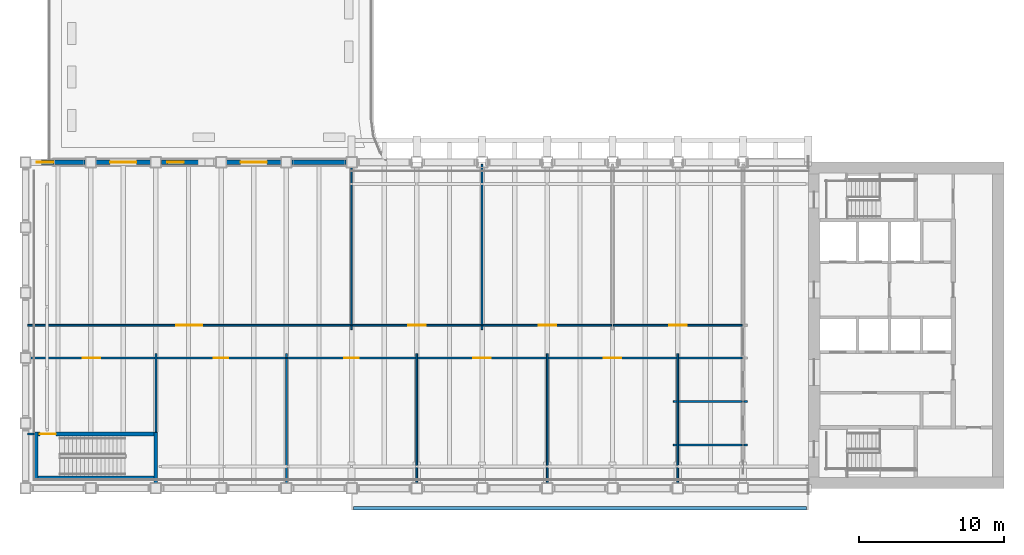
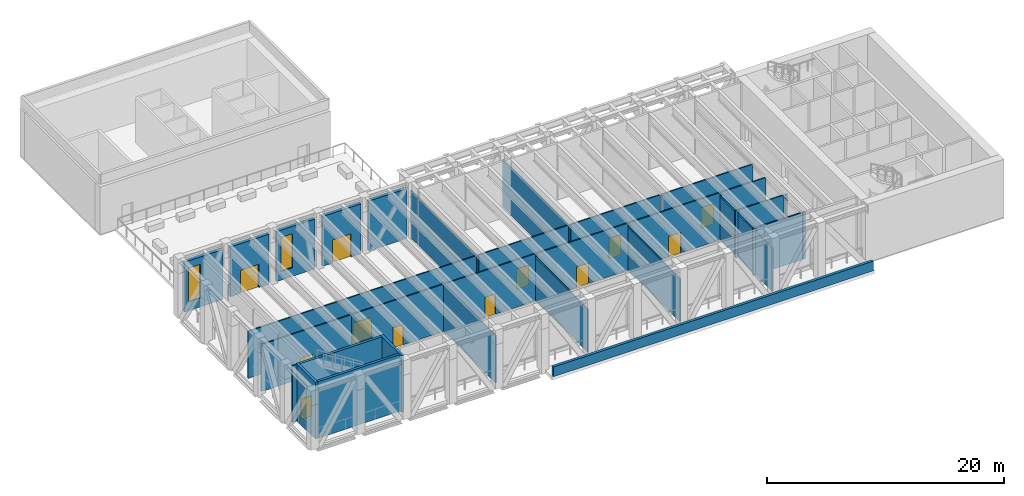
# One storey, part 9 of 20: 34 walls, 12 doors, 2 windows, 14 openings.
"""IFC4 building model written with IfcOpenShell, lengths in metres."""

from ifc_helpers import new_model, si_unit, direction, frame, frame_2d, origin, place, context, subcontext, project, spatial, rectangle, extrude, material, layer, layer_set, type_object, element, fill, save


model = new_model("IFC4")

# Units and contexts
model_context = context("Model", 3, precision=1e-05, world=origin(), true_north=direction((0.0, 1.0)))
body_context = subcontext(model_context, "Body", "Model", "MODEL_VIEW")
ifc_project = project(units=[si_unit("LENGTHUNIT", "METRE"), si_unit("AREAUNIT", "SQUARE_METRE"), si_unit("VOLUMEUNIT", "CUBIC_METRE"), si_unit("PLANEANGLEUNIT", "RADIAN"), si_unit("MASSUNIT", "GRAM", prefix="KILO")], contexts=[model_context])

# Site, building, storey
site_placement = place(None, origin())
site = spatial("IfcSite", under=ifc_project, at=site_placement, CompositionType="ELEMENT")
building_placement = place(site_placement, origin())
building = spatial("IfcBuilding", under=site, at=building_placement, Name="Sennacour Bend Tower", CompositionType="ELEMENT")
storey_placement = place(building_placement, frame((0.0, 0.0, 243.0)))
storey = spatial("IfcBuildingStorey", under=building, at=storey_placement, Name="L56", CompositionType="ELEMENT", Elevation=243.0)

# Walls
ifc_material_1 = material(Name="Plasterboard partition on steel studs", Category="steel")
ifc_layer_1 = layer(ifc_material_1, 0.1201171875, Name="Plasterboard partition on steel studs", Category="steel")
ifc_layer_set_1 = layer_set([ifc_layer_1], Name="Plasterboard partition on steel studs")
wall_type_1 = type_object("IfcWallType", Name="Partition 120", PredefinedType="PARTITIONING", material=ifc_layer_set_1)
wall_1_placement = place(storey_placement, frame((9.0, 3.875, 0.0), z_axis=(0.0, 0.0, 1.0), x_axis=(0.0, 1.0, 0.0)))
element("IfcWall", 1, at=wall_1_placement, inside=storey, type_object=wall_type_1, Name="P-L56-W006a", PredefinedType="PARTITIONING", context=body_context, shape_type="SweptSolid", body=[
    extrude(rectangle(XDim=5.425048828125, YDim=0.1201171875, at=frame_2d((2.71240234375, 0.0))), origin(), (0.0, 0.0, 1.0), 4.8701171875),
])
wall_2_placement = place(storey_placement, frame((18.0, 0.14990234375, 0.0), z_axis=(0.0, 0.0, 1.0), x_axis=(0.0, 1.0, 0.0)))
element("IfcWall", 2, at=wall_2_placement, inside=storey, type_object=wall_type_1, Name="P-L56-W010a", PredefinedType="PARTITIONING", context=body_context, shape_type="SweptSolid", body=[
    extrude(rectangle(XDim=9.150146484375, YDim=0.1201171875, at=frame_2d((4.5751953125, 0.0))), origin(), (0.0, 0.0, 1.0), 4.8701171875),
])
wall_3_placement = place(storey_placement, frame((22.5, 10.949951171875, 0.0), z_axis=(0.0, 0.0, 1.0), x_axis=(0.0, 1.0, 0.0)))
element("IfcWall", 3, at=wall_3_placement, inside=storey, type_object=wall_type_1, Name="P-L56-W013a", PredefinedType="PARTITIONING", context=body_context, shape_type="SweptSolid", body=[
    extrude(rectangle(XDim=11.400146484375, YDim=0.1201171875, at=frame_2d((5.7001953125, 0.0))), origin(), (0.0, 0.0, 1.0), 4.8701171875),
])
wall_4_placement = place(storey_placement, frame((27.0, 0.14990234375, 0.0), z_axis=(0.0, 0.0, 1.0), x_axis=(0.0, 1.0, 0.0)))
element("IfcWall", 4, at=wall_4_placement, inside=storey, type_object=wall_type_1, Name="P-L56-W014a", PredefinedType="PARTITIONING", context=body_context, shape_type="SweptSolid", body=[
    extrude(rectangle(XDim=9.150146484375, YDim=0.1201171875, at=frame_2d((4.5751953125, 0.0))), origin(), (0.0, 0.0, 1.0), 4.449951171875),
])
wall_5_placement = place(storey_placement, frame((31.5, 10.949951171875, 0.0), z_axis=(0.0, 0.0, 1.0), x_axis=(0.0, 1.0, 0.0)))
element("IfcWall", 5, at=wall_5_placement, inside=storey, type_object=wall_type_1, Name="P-L56-W015a", PredefinedType="PARTITIONING", context=body_context, shape_type="SweptSolid", body=[
    extrude(rectangle(XDim=11.400146484375, YDim=0.1201171875, at=frame_2d((5.7001953125, 0.0))), origin(), (0.0, 0.0, 1.0), 4.8701171875),
])
for number, where, z_axis, x_axis, name in (
    (6, (36.0, 0.14990234375, 0.0), (0.0, 0.0, 1.0), (0.0, 1.0, 0.0), "P-L56-W016a"),
    (7, (45.0, 0.14990234375, 0.0), (0.0, 0.0, 1.0), (0.0, 1.0, 0.0), "P-L56-W018a"),
):
    element("IfcWall", number, at=place(storey_placement, frame(where, z_axis=z_axis, x_axis=x_axis)), inside=storey, type_object=wall_type_1, Name=name, PredefinedType="PARTITIONING", context=body_context, shape_type="SweptSolid", body=[
        extrude(rectangle(XDim=9.150146484375, YDim=0.1201171875, at=frame_2d((4.5751953125, 0.0))), origin(), (0.0, 0.0, 1.0), 4.449951171875),
    ])
wall_6_placement = place(storey_placement, frame((44.699951171875, 3.0, 0.0), z_axis=(0.0, 0.0, 1.0), x_axis=(1.0, 0.0, 0.0)))
element("IfcWall", 8, at=wall_6_placement, inside=storey, type_object=wall_type_1, Name="P-L56-W034aa", PredefinedType="PARTITIONING", context=body_context, shape_type="SweptSolid", body=[
    extrude(rectangle(XDim=0.239990234375, YDim=0.1201171875, at=frame_2d((0.1201171875, 0.0))), origin(), (0.0, 0.0, 1.0), 4.8701171875),
])
wall_7_placement = place(storey_placement, frame((45.06005859375, 3.0, 0.0), z_axis=(0.0, 0.0, 1.0), x_axis=(1.0, 0.0, 0.0)))
element("IfcWall", 9, at=wall_7_placement, inside=storey, type_object=wall_type_1, Name="P-L56-W034ab", PredefinedType="PARTITIONING", context=body_context, shape_type="SweptSolid", body=[
    extrude(rectangle(XDim=4.3798828125, YDim=0.1201171875, at=frame_2d((2.18994140625, 0.0))), origin(), (0.0, 0.0, 1.0), 4.8701171875),
])
wall_8_placement = place(storey_placement, frame((49.56005859375, 3.0, 0.0), z_axis=(0.0, 0.0, 1.0), x_axis=(1.0, 0.0, 0.0)))
element("IfcWall", 10, at=wall_8_placement, inside=storey, type_object=wall_type_1, Name="P-L56-W034ac", PredefinedType="PARTITIONING", context=body_context, shape_type="SweptSolid", body=[
    extrude(rectangle(XDim=0.239990234375, YDim=0.1201171875, at=frame_2d((0.1201171875, 0.0))), origin(), (0.0, 0.0, 1.0), 4.8701171875),
])
wall_9_placement = place(storey_placement, frame((0.14990234375, 3.75, 0.0), z_axis=(0.0, 0.0, 1.0), x_axis=(1.0, 0.0, 0.0)))
element("IfcWall", 11, at=wall_9_placement, inside=storey, type_object=wall_type_1, Name="P-L56-W035a", PredefinedType="PARTITIONING", context=body_context, shape_type="SweptSolid", body=[
    extrude(rectangle(XDim=0.4501953125, YDim=0.1201171875, at=frame_2d((0.22509765625, 0.0))), origin(), (0.0, 0.0, 1.0), 5.85009765625),
])
wall_10_placement = place(storey_placement, frame((44.699951171875, 6.0, 0.0), z_axis=(0.0, 0.0, 1.0), x_axis=(1.0, 0.0, 0.0)))
element("IfcWall", 12, at=wall_10_placement, inside=storey, type_object=wall_type_1, Name="P-L56-W039aa", PredefinedType="PARTITIONING", context=body_context, shape_type="SweptSolid", body=[
    extrude(rectangle(XDim=0.239990234375, YDim=0.1201171875, at=frame_2d((0.1201171875, 0.0))), origin(), (0.0, 0.0, 1.0), 4.8701171875),
])
wall_11_placement = place(storey_placement, frame((45.06005859375, 6.0, 0.0), z_axis=(0.0, 0.0, 1.0), x_axis=(1.0, 0.0, 0.0)))
element("IfcWall", 13, at=wall_11_placement, inside=storey, type_object=wall_type_1, Name="P-L56-W039ab", PredefinedType="PARTITIONING", context=body_context, shape_type="SweptSolid", body=[
    extrude(rectangle(XDim=4.3798828125, YDim=0.1201171875, at=frame_2d((2.18994140625, 0.0))), origin(), (0.0, 0.0, 1.0), 4.8701171875),
])
wall_12_placement = place(storey_placement, frame((49.56005859375, 6.0, 0.0), z_axis=(0.0, 0.0, 1.0), x_axis=(1.0, 0.0, 0.0)))
element("IfcWall", 14, at=wall_12_placement, inside=storey, type_object=wall_type_1, Name="P-L56-W039ac", PredefinedType="PARTITIONING", context=body_context, shape_type="SweptSolid", body=[
    extrude(rectangle(XDim=0.239990234375, YDim=0.1201171875, at=frame_2d((0.1201171875, 0.0))), origin(), (0.0, 0.0, 1.0), 4.8701171875),
])
wall_13_placement = place(storey_placement, frame((45.06005859375, 9.0, 0.0), z_axis=(0.0, 0.0, 1.0), x_axis=(1.0, 0.0, 0.0)))
element("IfcWall", 15, at=wall_13_placement, inside=storey, type_object=wall_type_1, Name="P-L56-W041af", PredefinedType="PARTITIONING", context=body_context, shape_type="SweptSolid", body=[
    extrude(rectangle(XDim=4.3798828125, YDim=0.1201171875, at=frame_2d((2.18994140625, 0.0))), origin(), (0.0, 0.0, 1.0), 4.8701171875),
])

# Wall, opening, door
wall_14_placement = place(storey_placement, frame((0.14990234375, 11.25, 0.0), z_axis=(0.0, 0.0, 1.0), x_axis=(1.0, 0.0, 0.0)))
wall_14 = element("IfcWall", 16, at=wall_14_placement, inside=storey, type_object=wall_type_1, Name="P-L56-W043aa", PredefinedType="PARTITIONING", context=body_context, shape_type="SweptSolid", body=[
    extrude(rectangle(XDim=22.2900390625, YDim=0.1201171875, at=frame_2d((11.14501953125, 0.0))), origin(), (0.0, 0.0, 1.0), 4.8701171875),
])
opening_1_placement = place(wall_14_placement, frame((10.255126953125, 0.0, 0.0)))
opening_1 = element("IfcOpeningElement", 17, at=opening_1_placement, cuts=wall_14, Name="Opening OD3", PredefinedType="OPENING", context=body_context, shape_type="SweptSolid", body=[
    extrude(rectangle(XDim=1.800048828125, YDim=2.10009765625, at=frame_2d((0.89990234375, 1.050048828125))), frame((0.0, 0.070068359375, 0.0), z_axis=(0.0, -1.0, 0.0), x_axis=(1.0, 0.0, 0.0)), (0.0, 0.0, 1.0), 0.14013671875),
])
ifc_material_2 = material(Name="Timber", Category="wood")
door_type_1 = type_object("IfcDoorType", Name="DR-OFFICE-1800", OperationType="NOTDEFINED", PredefinedType="DOOR", material=ifc_material_2)
door_1_placement = place(opening_1_placement, origin())
door_1 = element("IfcDoor", 18, at=door_1_placement, inside=storey, type_object=door_type_1, Name="Door", OperationType="DOUBLE_DOOR_SINGLE_SWING", OverallHeight=2.10009765625, OverallWidth=1.800048828125, PredefinedType="DOOR", context=body_context, shape_type="SweptSolid", body=[
    extrude(rectangle(XDim=1.800048828125, YDim=2.10009765625, at=frame_2d((0.89990234375, 1.050048828125))), frame((0.0, 0.02490234375, 0.0), z_axis=(0.0, -1.0, 0.0), x_axis=(1.0, 0.0, 0.0)), (0.0, 0.0, 1.0), 0.050048828125),
])
fill(opening_1, door_1)

ifc_layer_2 = layer(ifc_material_1, 0.1201171875, Name="Plasterboard partition on steel studs", Category="steel")
ifc_layer_set_2 = layer_set([ifc_layer_2], Name="Plasterboard partition on steel studs")
wall_type_2 = type_object("IfcWallType", Name="Partition 120 EI 30", PredefinedType="PARTITIONING", material=ifc_layer_set_2)
wall_15_placement = place(storey_placement, frame((0.14990234375, 9.0, 0.0), z_axis=(0.0, 0.0, 1.0), x_axis=(1.0, 0.0, 0.0)))
wall_15 = element("IfcWall", 19, at=wall_15_placement, inside=storey, type_object=wall_type_2, Name="P-L56-W041aa", PredefinedType="PARTITIONING", context=body_context, shape_type="SweptSolid", body=[
    extrude(rectangle(XDim=8.7900390625, YDim=0.1201171875, at=frame_2d((4.39501953125, 0.0))), origin(), (0.0, 0.0, 1.0), 4.8701171875),
])
opening_2_placement = place(wall_15_placement, frame((3.80517578125, 0.0, 0.0)))
opening_2 = element("IfcOpeningElement", 20, at=opening_2_placement, cuts=wall_15, Name="Opening KD2", PredefinedType="OPENING", context=body_context, shape_type="SweptSolid", body=[
    extrude(rectangle(XDim=1.199951171875, YDim=2.10009765625, at=frame_2d((0.60009765625, 1.050048828125))), frame((0.0, 0.070068359375, 0.0), z_axis=(0.0, -1.0, 0.0), x_axis=(1.0, 0.0, 0.0)), (0.0, 0.0, 1.0), 0.14013671875),
])
ifc_material_3 = material(Name="Painted steel", Category="steel")
door_type_2 = type_object("IfcDoorType", Name="DR-CORRIDOR-1200", OperationType="NOTDEFINED", PredefinedType="DOOR", material=ifc_material_3)
door_2_placement = place(opening_2_placement, origin())
door_2 = element("IfcDoor", 21, at=door_2_placement, inside=storey, type_object=door_type_2, Name="Door", OperationType="SINGLE_SWING_RIGHT", OverallHeight=2.10009765625, OverallWidth=1.199951171875, PredefinedType="DOOR", context=body_context, shape_type="SweptSolid", body=[
    extrude(rectangle(XDim=1.199951171875, YDim=2.10009765625, at=frame_2d((0.60009765625, 1.050048828125))), frame((0.0, 0.02490234375, 0.0), z_axis=(0.0, -1.0, 0.0), x_axis=(1.0, 0.0, 0.0)), (0.0, 0.0, 1.0), 0.050048828125),
])
fill(opening_2, door_2)

ifc_layer_3 = layer(ifc_material_1, 0.1201171875, Name="Plasterboard partition on steel studs", Category="steel")
ifc_layer_set_3 = layer_set([ifc_layer_3], Name="Plasterboard partition on steel studs")
wall_type_3 = type_object("IfcWallType", Name="Partition 120 EI 60", PredefinedType="PARTITIONING", material=ifc_layer_set_3)
wall_16_placement = place(storey_placement, frame((9.06005859375, 9.0, 0.0), z_axis=(0.0, 0.0, 1.0), x_axis=(1.0, 0.0, 0.0)))
wall_16 = element("IfcWall", 22, at=wall_16_placement, inside=storey, type_object=wall_type_3, Name="P-L56-W041ab", PredefinedType="PARTITIONING", context=body_context, shape_type="SweptSolid", body=[
    extrude(rectangle(XDim=8.8798828125, YDim=0.1201171875, at=frame_2d((4.43994140625, 0.0))), origin(), (0.0, 0.0, 1.0), 4.8701171875),
])
opening_3_placement = place(wall_16_placement, frame((3.93994140625, 0.0, 0.0)))
opening_3 = element("IfcOpeningElement", 23, at=opening_3_placement, cuts=wall_16, Name="Opening PD2", PredefinedType="OPENING", context=body_context, shape_type="SweptSolid", body=[
    extrude(rectangle(XDim=1.0, YDim=2.10009765625, at=frame_2d((0.5, 1.050048828125))), frame((0.0, 0.070068359375, 0.0), z_axis=(0.0, -1.0, 0.0), x_axis=(1.0, 0.0, 0.0)), (0.0, 0.0, 1.0), 0.14013671875),
])
door_type_3 = type_object("IfcDoorType", Name="DR-PLANT-1000", OperationType="NOTDEFINED", PredefinedType="DOOR", material=ifc_material_3)
door_3_placement = place(opening_3_placement, origin())
door_3 = element("IfcDoor", 24, at=door_3_placement, inside=storey, type_object=door_type_3, Name="Door", OperationType="SINGLE_SWING_LEFT", OverallHeight=2.10009765625, OverallWidth=1.0, PredefinedType="DOOR", context=body_context, shape_type="SweptSolid", body=[
    extrude(rectangle(XDim=1.0, YDim=2.10009765625, at=frame_2d((0.5, 1.050048828125))), frame((0.0, 0.02490234375, 0.0), z_axis=(0.0, -1.0, 0.0), x_axis=(1.0, 0.0, 0.0)), (0.0, 0.0, 1.0), 0.050048828125),
])
fill(opening_3, door_3)

wall_17_placement = place(storey_placement, frame((18.06005859375, 9.0, 0.0), z_axis=(0.0, 0.0, 1.0), x_axis=(1.0, 0.0, 0.0)))
wall_17 = element("IfcWall", 25, at=wall_17_placement, inside=storey, type_object=wall_type_3, Name="P-L56-W041ac", PredefinedType="PARTITIONING", context=body_context, shape_type="SweptSolid", body=[
    extrude(rectangle(XDim=8.8798828125, YDim=0.1201171875, at=frame_2d((4.43994140625, 0.0))), origin(), (0.0, 0.0, 1.0), 4.8701171875),
])
opening_4_placement = place(wall_17_placement, frame((3.93994140625, 0.0, 0.0)))
opening_4 = element("IfcOpeningElement", 26, at=opening_4_placement, cuts=wall_17, Name="Opening PD2", PredefinedType="OPENING", context=body_context, shape_type="SweptSolid", body=[
    extrude(rectangle(XDim=1.0, YDim=2.10009765625, at=frame_2d((0.5, 1.050048828125))), frame((0.0, 0.070068359375, 0.0), z_axis=(0.0, -1.0, 0.0), x_axis=(1.0, 0.0, 0.0)), (0.0, 0.0, 1.0), 0.14013671875),
])
door_4_placement = place(opening_4_placement, origin())
door_4 = element("IfcDoor", 27, at=door_4_placement, inside=storey, type_object=door_type_3, Name="Door", OperationType="SINGLE_SWING_LEFT", OverallHeight=2.10009765625, OverallWidth=1.0, PredefinedType="DOOR", context=body_context, shape_type="SweptSolid", body=[
    extrude(rectangle(XDim=1.0, YDim=2.10009765625, at=frame_2d((0.5, 1.050048828125))), frame((0.0, 0.02490234375, 0.0), z_axis=(0.0, -1.0, 0.0), x_axis=(1.0, 0.0, 0.0)), (0.0, 0.0, 1.0), 0.050048828125),
])
fill(opening_4, door_4)

wall_18_placement = place(storey_placement, frame((27.06005859375, 9.0, 0.0), z_axis=(0.0, 0.0, 1.0), x_axis=(1.0, 0.0, 0.0)))
wall_18 = element("IfcWall", 28, at=wall_18_placement, inside=storey, type_object=wall_type_3, Name="P-L56-W041ad", PredefinedType="PARTITIONING", context=body_context, shape_type="SweptSolid", body=[
    extrude(rectangle(XDim=8.8798828125, YDim=0.1201171875, at=frame_2d((4.43994140625, 0.0))), origin(), (0.0, 0.0, 1.0), 4.8701171875),
])
opening_5_placement = place(wall_18_placement, frame((3.83984375, 0.0, 0.0)))
opening_5 = element("IfcOpeningElement", 29, at=opening_5_placement, cuts=wall_18, Name="Opening PD", PredefinedType="OPENING", context=body_context, shape_type="SweptSolid", body=[
    extrude(rectangle(XDim=1.199951171875, YDim=2.10009765625, at=frame_2d((0.60009765625, 1.050048828125))), frame((0.0, 0.070068359375, 0.0), z_axis=(0.0, -1.0, 0.0), x_axis=(1.0, 0.0, 0.0)), (0.0, 0.0, 1.0), 0.14013671875),
])
door_type_4 = type_object("IfcDoorType", Name="DR-PLANT-1200", OperationType="NOTDEFINED", PredefinedType="DOOR", material=ifc_material_3)
door_5_placement = place(opening_5_placement, origin())
door_5 = element("IfcDoor", 30, at=door_5_placement, inside=storey, type_object=door_type_4, Name="Door", OperationType="SINGLE_SWING_LEFT", OverallHeight=2.10009765625, OverallWidth=1.199951171875, PredefinedType="DOOR", context=body_context, shape_type="SweptSolid", body=[
    extrude(rectangle(XDim=1.199951171875, YDim=2.10009765625, at=frame_2d((0.60009765625, 1.050048828125))), frame((0.0, 0.02490234375, 0.0), z_axis=(0.0, -1.0, 0.0), x_axis=(1.0, 0.0, 0.0)), (0.0, 0.0, 1.0), 0.050048828125),
])
fill(opening_5, door_5)

wall_19_placement = place(storey_placement, frame((36.06005859375, 9.0, 0.0), z_axis=(0.0, 0.0, 1.0), x_axis=(1.0, 0.0, 0.0)))
wall_19 = element("IfcWall", 31, at=wall_19_placement, inside=storey, type_object=wall_type_3, Name="P-L56-W041ae", PredefinedType="PARTITIONING", context=body_context, shape_type="SweptSolid", body=[
    extrude(rectangle(XDim=8.8798828125, YDim=0.1201171875, at=frame_2d((4.43994140625, 0.0))), origin(), (0.0, 0.0, 1.0), 4.8701171875),
])
opening_6_placement = place(wall_19_placement, frame((3.83984375, 0.0, 0.0)))
opening_6 = element("IfcOpeningElement", 32, at=opening_6_placement, cuts=wall_19, Name="Opening PD", PredefinedType="OPENING", context=body_context, shape_type="SweptSolid", body=[
    extrude(rectangle(XDim=1.199951171875, YDim=2.10009765625, at=frame_2d((0.60009765625, 1.050048828125))), frame((0.0, 0.070068359375, 0.0), z_axis=(0.0, -1.0, 0.0), x_axis=(1.0, 0.0, 0.0)), (0.0, 0.0, 1.0), 0.14013671875),
])
door_6_placement = place(opening_6_placement, origin())
door_6 = element("IfcDoor", 33, at=door_6_placement, inside=storey, type_object=door_type_4, Name="Door", OperationType="SINGLE_SWING_LEFT", OverallHeight=2.10009765625, OverallWidth=1.199951171875, PredefinedType="DOOR", context=body_context, shape_type="SweptSolid", body=[
    extrude(rectangle(XDim=1.199951171875, YDim=2.10009765625, at=frame_2d((0.60009765625, 1.050048828125))), frame((0.0, 0.02490234375, 0.0), z_axis=(0.0, -1.0, 0.0), x_axis=(1.0, 0.0, 0.0)), (0.0, 0.0, 1.0), 0.050048828125),
])
fill(opening_6, door_6)

wall_20_placement = place(storey_placement, frame((22.56005859375, 11.25, 0.0), z_axis=(0.0, 0.0, 1.0), x_axis=(1.0, 0.0, 0.0)))
wall_20 = element("IfcWall", 34, at=wall_20_placement, inside=storey, type_object=wall_type_3, Name="P-L56-W043ab", PredefinedType="PARTITIONING", context=body_context, shape_type="SweptSolid", body=[
    extrude(rectangle(XDim=8.8798828125, YDim=0.1201171875, at=frame_2d((4.43994140625, 0.0))), origin(), (0.0, 0.0, 1.0), 4.8701171875),
])
opening_7_placement = place(wall_20_placement, frame((3.83984375, 0.0, 0.0)))
opening_7 = element("IfcOpeningElement", 35, at=opening_7_placement, cuts=wall_20, Name="Opening PD", PredefinedType="OPENING", context=body_context, shape_type="SweptSolid", body=[
    extrude(rectangle(XDim=1.199951171875, YDim=2.10009765625, at=frame_2d((0.60009765625, 1.050048828125))), frame((0.0, 0.070068359375, 0.0), z_axis=(0.0, -1.0, 0.0), x_axis=(1.0, 0.0, 0.0)), (0.0, 0.0, 1.0), 0.14013671875),
])
door_7_placement = place(opening_7_placement, origin())
door_7 = element("IfcDoor", 36, at=door_7_placement, inside=storey, type_object=door_type_4, Name="Door", OperationType="SINGLE_SWING_LEFT", OverallHeight=2.10009765625, OverallWidth=1.199951171875, PredefinedType="DOOR", context=body_context, shape_type="SweptSolid", body=[
    extrude(rectangle(XDim=1.199951171875, YDim=2.10009765625, at=frame_2d((0.60009765625, 1.050048828125))), frame((0.0, 0.02490234375, 0.0), z_axis=(0.0, -1.0, 0.0), x_axis=(1.0, 0.0, 0.0)), (0.0, 0.0, 1.0), 0.050048828125),
])
fill(opening_7, door_7)

wall_21_placement = place(storey_placement, frame((31.56005859375, 11.25, 0.0), z_axis=(0.0, 0.0, 1.0), x_axis=(1.0, 0.0, 0.0)))
wall_21 = element("IfcWall", 37, at=wall_21_placement, inside=storey, type_object=wall_type_3, Name="P-L56-W043ac", PredefinedType="PARTITIONING", context=body_context, shape_type="SweptSolid", body=[
    extrude(rectangle(XDim=8.8798828125, YDim=0.1201171875, at=frame_2d((4.43994140625, 0.0))), origin(), (0.0, 0.0, 1.0), 4.8701171875),
])
opening_8_placement = place(wall_21_placement, frame((3.83984375, 0.0, 0.0)))
opening_8 = element("IfcOpeningElement", 38, at=opening_8_placement, cuts=wall_21, Name="Opening PD", PredefinedType="OPENING", context=body_context, shape_type="SweptSolid", body=[
    extrude(rectangle(XDim=1.199951171875, YDim=2.10009765625, at=frame_2d((0.60009765625, 1.050048828125))), frame((0.0, 0.070068359375, 0.0), z_axis=(0.0, -1.0, 0.0), x_axis=(1.0, 0.0, 0.0)), (0.0, 0.0, 1.0), 0.14013671875),
])
door_8_placement = place(opening_8_placement, origin())
door_8 = element("IfcDoor", 39, at=door_8_placement, inside=storey, type_object=door_type_4, Name="Door", OperationType="SINGLE_SWING_LEFT", OverallHeight=2.10009765625, OverallWidth=1.199951171875, PredefinedType="DOOR", context=body_context, shape_type="SweptSolid", body=[
    extrude(rectangle(XDim=1.199951171875, YDim=2.10009765625, at=frame_2d((0.60009765625, 1.050048828125))), frame((0.0, 0.02490234375, 0.0), z_axis=(0.0, -1.0, 0.0), x_axis=(1.0, 0.0, 0.0)), (0.0, 0.0, 1.0), 0.050048828125),
])
fill(opening_8, door_8)

wall_22_placement = place(storey_placement, frame((40.56005859375, 11.25, 0.0), z_axis=(0.0, 0.0, 1.0), x_axis=(1.0, 0.0, 0.0)))
wall_22 = element("IfcWall", 40, at=wall_22_placement, inside=storey, type_object=wall_type_3, Name="P-L56-W043ad", PredefinedType="PARTITIONING", context=body_context, shape_type="SweptSolid", body=[
    extrude(rectangle(XDim=8.8798828125, YDim=0.1201171875, at=frame_2d((4.43994140625, 0.0))), origin(), (0.0, 0.0, 1.0), 4.8701171875),
])
opening_9_placement = place(wall_22_placement, frame((3.83984375, 0.0, 0.0)))
opening_9 = element("IfcOpeningElement", 41, at=opening_9_placement, cuts=wall_22, Name="Opening CD3", PredefinedType="OPENING", context=body_context, shape_type="SweptSolid", body=[
    extrude(rectangle(XDim=1.199951171875, YDim=2.10009765625, at=frame_2d((0.60009765625, 1.050048828125))), frame((0.0, 0.070068359375, 0.0), z_axis=(0.0, -1.0, 0.0), x_axis=(1.0, 0.0, 0.0)), (0.0, 0.0, 1.0), 0.14013671875),
])
door_type_5 = type_object("IfcDoorType", Name="DR-LOBBY-1200", OperationType="NOTDEFINED", PredefinedType="DOOR", material=ifc_material_3)
door_9_placement = place(opening_9_placement, origin())
door_9 = element("IfcDoor", 42, at=door_9_placement, inside=storey, type_object=door_type_5, Name="Door", OperationType="SINGLE_SWING_LEFT", OverallHeight=2.10009765625, OverallWidth=1.199951171875, PredefinedType="DOOR", context=body_context, shape_type="SweptSolid", body=[
    extrude(rectangle(XDim=1.199951171875, YDim=2.10009765625, at=frame_2d((0.60009765625, 1.050048828125))), frame((0.0, 0.02490234375, 0.0), z_axis=(0.0, -1.0, 0.0), x_axis=(1.0, 0.0, 0.0)), (0.0, 0.0, 1.0), 0.050048828125),
])
fill(opening_9, door_9)

# Walls
ifc_material_4 = material(Name="Warm limestone cladding", Category="masonry")
ifc_layer_4 = layer(ifc_material_4, 0.050048828125, Name="Warm limestone cladding", Category="masonry")
ifc_material_5 = material(Name="Precast concrete C40/50", Category="concrete")
ifc_layer_5 = layer(ifc_material_5, 0.199951171875, Name="Precast concrete C40/50", Category="concrete")
ifc_layer_set_4 = layer_set([ifc_layer_4, ifc_layer_5], Name="Precast concrete C40/50 with limestone cladding")
wall_type_4 = type_object("IfcWallType", Name="STONE-CLAD PARAPET 250", PredefinedType="PARAPET", material=ifc_layer_set_4)
wall_23_placement = place(storey_placement, frame((53.875, -1.375, 0.0), z_axis=(0.0, 0.0, 1.0), x_axis=(-1.0, 0.0, 0.0)))
element("IfcWall", 43, at=wall_23_placement, inside=storey, type_object=wall_type_4, Name="Parapet L56", PredefinedType="PARAPET", context=body_context, shape_type="SweptSolid", body=[
    extrude(rectangle(XDim=31.25, YDim=0.25, at=frame_2d((15.625, 0.0))), origin(), (0.0, 0.0, 1.0), 1.0),
])
ifc_layer_6 = layer(ifc_material_4, 0.050048828125, Name="Warm limestone cladding", Category="masonry")
ifc_layer_7 = layer(ifc_material_5, 0.25, Name="Precast concrete C40/50", Category="concrete")
ifc_layer_set_5 = layer_set([ifc_layer_6, ifc_layer_7], Name="Precast concrete C40/50 with limestone cladding")
wall_type_5 = type_object("IfcWallType", Name="STONE-CLAD PRECAST SPANDREL 300", PredefinedType="STANDARD", material=ifc_layer_set_5)
wall_24_placement = place(storey_placement, frame((22.125, 22.5, 0.0), z_axis=(0.0, 0.0, 1.0), x_axis=(-1.0, 0.0, 0.0)))
element("IfcWall", 44, at=wall_24_placement, inside=storey, type_object=wall_type_5, Name="Stone spandrel and pier wall L56 06.00", PredefinedType="STANDARD", context=body_context, shape_type="SweptSolid", body=[
    extrude(rectangle(XDim=3.75, YDim=0.300048828125, at=frame_2d((1.875, 0.0))), origin(), (0.0, 0.0, 1.0), 5.156982421875),
])

# Wall, opening, door
wall_25_placement = place(storey_placement, frame((17.625, 22.5, 0.0), z_axis=(0.0, 0.0, 1.0), x_axis=(-1.0, 0.0, 0.0)))
wall_25 = element("IfcWall", 45, at=wall_25_placement, inside=storey, type_object=wall_type_5, Name="Stone spandrel and pier wall L56 06.01", PredefinedType="STANDARD", context=body_context, shape_type="SweptSolid", body=[
    extrude(rectangle(XDim=3.75, YDim=0.300048828125, at=frame_2d((1.875, 0.0))), origin(), (0.0, 0.0, 1.0), 5.156982421875),
])
opening_10_placement = place(wall_25_placement, frame((0.97509765625, 0.0, 0.0)))
opening_10 = element("IfcOpeningElement", 46, at=opening_10_placement, cuts=wall_25, Name="Opening TD1", PredefinedType="OPENING", context=body_context, shape_type="SweptSolid", body=[
    extrude(rectangle(XDim=1.800048828125, YDim=2.39990234375, at=frame_2d((0.89990234375, 1.199951171875))), frame((0.0, 0.16015625, 0.0), z_axis=(0.0, -1.0, 0.0), x_axis=(1.0, 0.0, 0.0)), (0.0, 0.0, 1.0), 0.320068359375),
])
ifc_material_6 = material(Name="Aluminium framed glazed door", Category="aluminium")
door_type_6 = type_object("IfcDoorType", Name="DR-TERRACE-1800x2400", OperationType="DOUBLE_DOOR_SINGLE_SWING", PredefinedType="DOOR", material=ifc_material_6)
door_10_placement = place(opening_10_placement, origin())
door_10 = element("IfcDoor", 47, at=door_10_placement, inside=storey, type_object=door_type_6, Name="Terrace door L56 06.01", OperationType="DOUBLE_DOOR_SINGLE_SWING", OverallHeight=2.39990234375, OverallWidth=1.800048828125, PredefinedType="DOOR", context=body_context, shape_type="SweptSolid", body=[
    extrude(rectangle(XDim=1.800048828125, YDim=2.39990234375, at=frame_2d((0.89990234375, 1.199951171875))), frame((0.0, 0.02490234375, 0.0), z_axis=(0.0, -1.0, 0.0), x_axis=(1.0, 0.0, 0.0)), (0.0, 0.0, 1.0), 0.050048828125),
])
fill(opening_10, door_10)

# Wall, opening, window
wall_26_placement = place(storey_placement, frame((13.125, 22.5, 0.0), z_axis=(0.0, 0.0, 1.0), x_axis=(-1.0, 0.0, 0.0)))
wall_26 = element("IfcWall", 48, at=wall_26_placement, inside=storey, type_object=wall_type_5, Name="Stone spandrel and pier wall L56 06.02", PredefinedType="STANDARD", context=body_context, shape_type="SweptSolid", body=[
    extrude(rectangle(XDim=3.75, YDim=0.300048828125, at=frame_2d((1.875, 0.0))), origin(), (0.0, 0.0, 1.0), 5.156982421875),
])
opening_11_placement = place(wall_26_placement, frame((2.1875, 0.0, 0.89990234375)))
opening_11 = element("IfcOpeningElement", 49, at=opening_11_placement, cuts=wall_26, Name="Opening W26", PredefinedType="OPENING", context=body_context, shape_type="SweptSolid", body=[
    extrude(rectangle(XDim=1.14990234375, YDim=3.5, at=frame_2d((0.574951171875, 1.75))), frame((0.0, 0.16015625, 0.0), z_axis=(0.0, -1.0, 0.0), x_axis=(1.0, 0.0, 0.0)), (0.0, 0.0, 1.0), 0.320068359375),
])
ifc_material_7 = material(Name="Clear low-emissivity glass", Category="glass")
window_type = type_object("IfcWindowType", Name="WIN-RIBBON-1150x3500", PartitioningType="SINGLE_PANEL", PredefinedType="WINDOW", material=ifc_material_7)
window_1_placement = place(opening_11_placement, origin())
window_1 = element("IfcWindow", 50, at=window_1_placement, inside=storey, type_object=window_type, Name="Ribbon window L56 06.02.0", OverallHeight=3.5, OverallWidth=1.14990234375, PartitioningType="SINGLE_PANEL", PredefinedType="WINDOW", context=body_context, shape_type="SweptSolid", body=[
    extrude(rectangle(XDim=1.14990234375, YDim=3.5, at=frame_2d((0.574951171875, 1.75))), frame((0.0, 0.030029296875, 0.0), z_axis=(0.0, -1.0, 0.0), x_axis=(1.0, 0.0, 0.0)), (0.0, 0.0, 1.0), 0.06005859375),
])
fill(opening_11, window_1)

# Wall, opening, door
wall_27_placement = place(storey_placement, frame((8.625, 22.5, 0.0), z_axis=(0.0, 0.0, 1.0), x_axis=(-1.0, 0.0, 0.0)))
wall_27 = element("IfcWall", 51, at=wall_27_placement, inside=storey, type_object=wall_type_5, Name="Stone spandrel and pier wall L56 06.03", PredefinedType="STANDARD", context=body_context, shape_type="SweptSolid", body=[
    extrude(rectangle(XDim=3.75, YDim=0.300048828125, at=frame_2d((1.875, 0.0))), origin(), (0.0, 0.0, 1.0), 5.156982421875),
])
opening_12_placement = place(wall_27_placement, frame((0.97509765625, 0.0, 0.0)))
opening_12 = element("IfcOpeningElement", 52, at=opening_12_placement, cuts=wall_27, Name="Opening TD1", PredefinedType="OPENING", context=body_context, shape_type="SweptSolid", body=[
    extrude(rectangle(XDim=1.800048828125, YDim=2.39990234375, at=frame_2d((0.89990234375, 1.199951171875))), frame((0.0, 0.16015625, 0.0), z_axis=(0.0, -1.0, 0.0), x_axis=(1.0, 0.0, 0.0)), (0.0, 0.0, 1.0), 0.320068359375),
])
door_11_placement = place(opening_12_placement, origin())
door_11 = element("IfcDoor", 53, at=door_11_placement, inside=storey, type_object=door_type_6, Name="Terrace door L56 06.03", OperationType="DOUBLE_DOOR_SINGLE_SWING", OverallHeight=2.39990234375, OverallWidth=1.800048828125, PredefinedType="DOOR", context=body_context, shape_type="SweptSolid", body=[
    extrude(rectangle(XDim=1.800048828125, YDim=2.39990234375, at=frame_2d((0.89990234375, 1.199951171875))), frame((0.0, 0.02490234375, 0.0), z_axis=(0.0, -1.0, 0.0), x_axis=(1.0, 0.0, 0.0)), (0.0, 0.0, 1.0), 0.050048828125),
])
fill(opening_12, door_11)

# Wall, opening, window
wall_28_placement = place(storey_placement, frame((4.125, 22.5, 0.0), z_axis=(0.0, 0.0, 1.0), x_axis=(-1.0, 0.0, 0.0)))
wall_28 = element("IfcWall", 54, at=wall_28_placement, inside=storey, type_object=wall_type_5, Name="Stone spandrel and pier wall L56 06.04", PredefinedType="STANDARD", context=body_context, shape_type="SweptSolid", body=[
    extrude(rectangle(XDim=3.75, YDim=0.300048828125, at=frame_2d((1.875, 0.0))), origin(), (0.0, 0.0, 1.0), 5.156982421875),
])
opening_13_placement = place(wall_28_placement, frame((2.1875, 0.0, 0.89990234375)))
opening_13 = element("IfcOpeningElement", 55, at=opening_13_placement, cuts=wall_28, Name="Opening W26", PredefinedType="OPENING", context=body_context, shape_type="SweptSolid", body=[
    extrude(rectangle(XDim=1.14990234375, YDim=3.5, at=frame_2d((0.574951171875, 1.75))), frame((0.0, 0.16015625, 0.0), z_axis=(0.0, -1.0, 0.0), x_axis=(1.0, 0.0, 0.0)), (0.0, 0.0, 1.0), 0.320068359375),
])
window_2_placement = place(opening_13_placement, origin())
window_2 = element("IfcWindow", 56, at=window_2_placement, inside=storey, type_object=window_type, Name="Ribbon window L56 06.04.0", OverallHeight=3.5, OverallWidth=1.14990234375, PartitioningType="SINGLE_PANEL", PredefinedType="WINDOW", context=body_context, shape_type="SweptSolid", body=[
    extrude(rectangle(XDim=1.14990234375, YDim=3.5, at=frame_2d((0.574951171875, 1.75))), frame((0.0, 0.030029296875, 0.0), z_axis=(0.0, -1.0, 0.0), x_axis=(1.0, 0.0, 0.0)), (0.0, 0.0, 1.0), 0.06005859375),
])
fill(opening_13, window_2)

# Walls
ifc_material_8 = material(Name="Concrete C60/75", Category="concrete")
ifc_layer_8 = layer(ifc_material_8, 0.25, Name="Concrete C60/75", Category="concrete")
ifc_layer_set_6 = layer_set([ifc_layer_8], Name="Concrete C60/75")
wall_type_6 = type_object("IfcWallType", Name="Stair wall 250", PredefinedType="SHEAR", material=ifc_layer_set_6)
wall_29_placement = place(storey_placement, frame((0.72509765625, 0.60009765625, 0.0), z_axis=(0.0, 0.0, 1.0), x_axis=(0.0, 1.0, 0.0)))
element("IfcWall", 57, at=wall_29_placement, inside=storey, type_object=wall_type_6, Name="P-L56-W002", PredefinedType="SHEAR", context=body_context, shape_type="SweptSolid", body=[
    extrude(rectangle(XDim=3.27490234375, YDim=0.25, at=frame_2d((1.637451171875, 0.0))), origin(), (0.0, 0.0, 1.0), 5.85009765625),
])
wall_30_placement = place(storey_placement, frame((9.0, 0.375, 0.0), z_axis=(0.0, 0.0, 1.0), x_axis=(0.0, 1.0, 0.0)))
element("IfcWall", 58, at=wall_30_placement, inside=storey, type_object=wall_type_6, Name="P-L56-W005", PredefinedType="SHEAR", context=body_context, shape_type="SweptSolid", body=[
    extrude(rectangle(XDim=3.5, YDim=0.25, at=frame_2d((1.75, 0.0))), origin(), (0.0, 0.0, 1.0), 5.85009765625),
])
wall_31_placement = place(storey_placement, frame((0.85009765625, 0.72509765625, 0.0), z_axis=(0.0, 0.0, 1.0), x_axis=(1.0, 0.0, 0.0)))
element("IfcWall", 59, at=wall_31_placement, inside=storey, type_object=wall_type_6, Name="P-L56-W033", PredefinedType="SHEAR", context=body_context, shape_type="SweptSolid", body=[
    extrude(rectangle(XDim=8.02490234375, YDim=0.25, at=frame_2d((4.012451171875, 0.0))), origin(), (0.0, 0.0, 1.0), 5.85009765625),
])

# Wall, opening, door
wall_32_placement = place(storey_placement, frame((0.85009765625, 3.75, 0.0), z_axis=(0.0, 0.0, 1.0), x_axis=(1.0, 0.0, 0.0)))
wall_32 = element("IfcWall", 60, at=wall_32_placement, inside=storey, type_object=wall_type_6, Name="P-L56-W036", PredefinedType="SHEAR", context=body_context, shape_type="SweptSolid", body=[
    extrude(rectangle(XDim=8.02490234375, YDim=0.25, at=frame_2d((4.012451171875, 0.0))), origin(), (0.0, 0.0, 1.0), 5.85009765625),
])
opening_14_placement = place(wall_32_placement, frame((0.14990234375, 0.0, 0.0)))
opening_14 = element("IfcOpeningElement", 61, at=opening_14_placement, cuts=wall_32, Name="Opening SD", PredefinedType="OPENING", context=body_context, shape_type="SweptSolid", body=[
    extrude(rectangle(XDim=1.10009765625, YDim=2.10009765625, at=frame_2d((0.550048828125, 1.050048828125))), frame((0.0, 0.135009765625, 0.0), z_axis=(0.0, -1.0, 0.0), x_axis=(1.0, 0.0, 0.0)), (0.0, 0.0, 1.0), 0.27001953125),
])
door_type_7 = type_object("IfcDoorType", Name="DR-STAIR-1100", OperationType="NOTDEFINED", PredefinedType="DOOR", material=ifc_material_3)
door_12_placement = place(opening_14_placement, origin())
door_12 = element("IfcDoor", 62, at=door_12_placement, inside=storey, type_object=door_type_7, Name="Door", OperationType="SINGLE_SWING_LEFT", OverallHeight=2.10009765625, OverallWidth=1.10009765625, PredefinedType="DOOR", context=body_context, shape_type="SweptSolid", body=[
    extrude(rectangle(XDim=1.10009765625, YDim=2.10009765625, at=frame_2d((0.550048828125, 1.050048828125))), frame((0.0, 0.02490234375, 0.0), z_axis=(0.0, -1.0, 0.0), x_axis=(1.0, 0.0, 0.0)), (0.0, 0.0, 1.0), 0.050048828125),
])
fill(opening_14, door_12)

save(model, "model.ifc")
